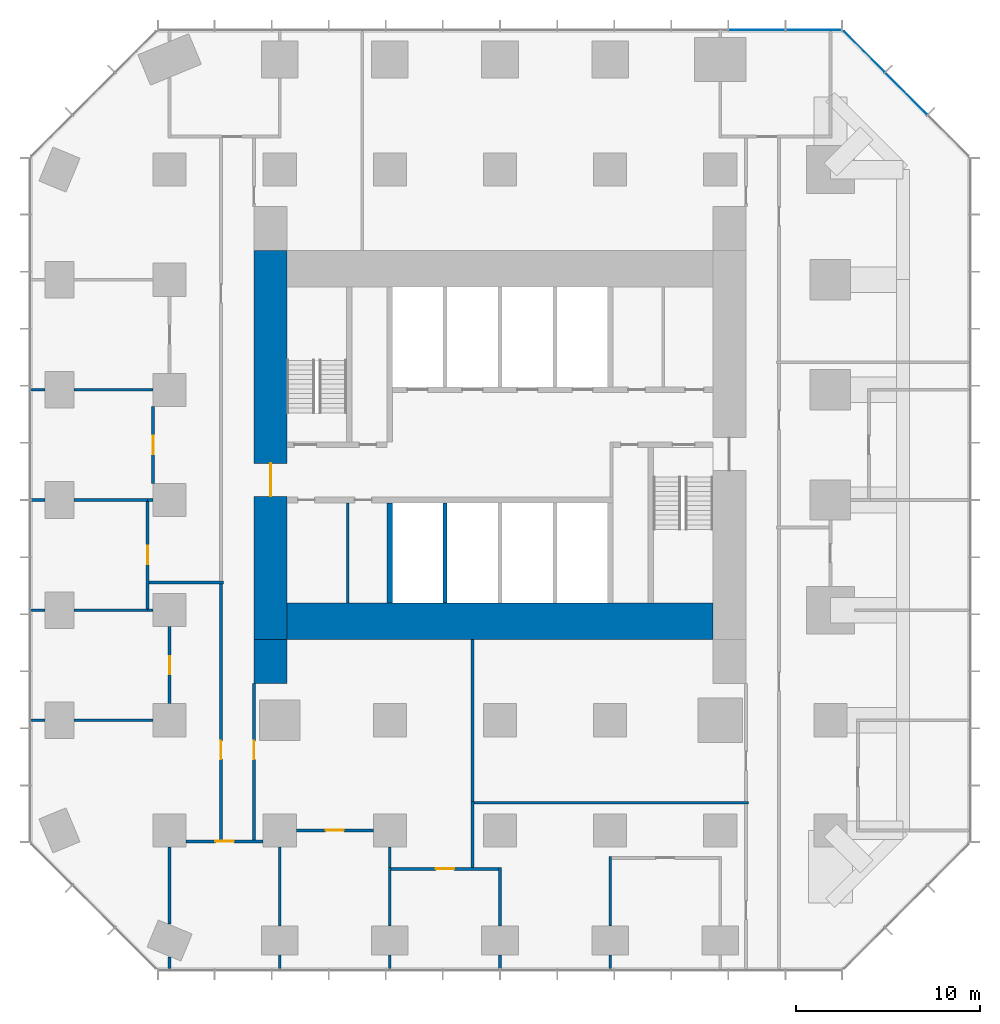
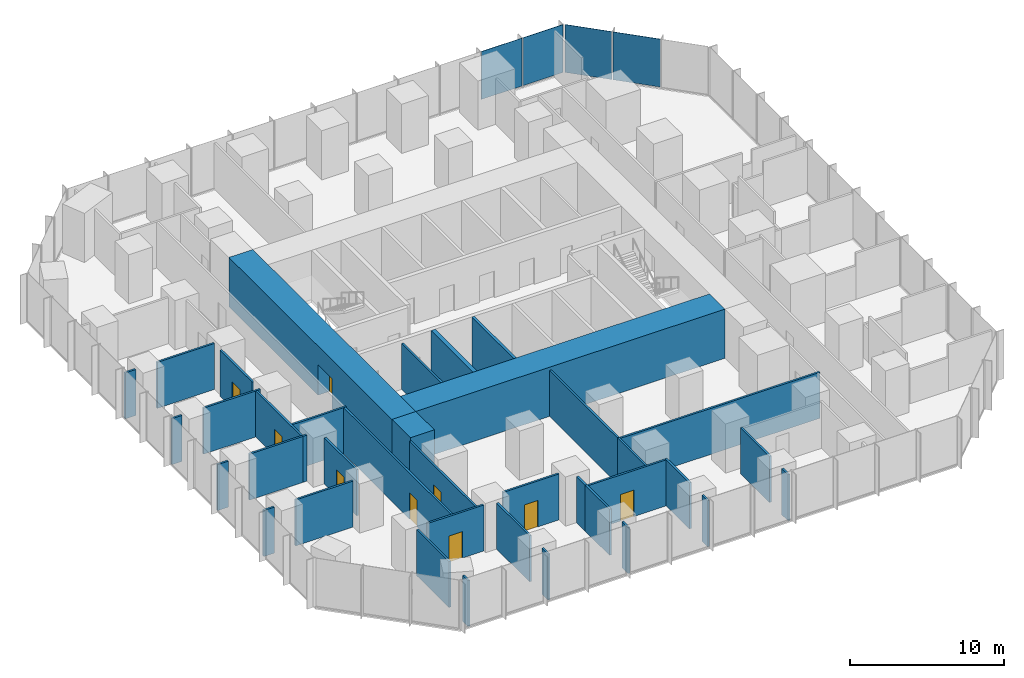
# One storey, part 8 of 12: 39 walls, 9 doors, 4 plates, 9 openings, 2 elements without a shape of their own.
"""IFC4 building model written with IfcOpenShell, lengths in metres."""

from ifc_helpers import new_model, si_unit, direction, frame, frame_2d, origin, origin_2d, place, context, subcontext, project, spatial, rectangle, extrude, material, layer, layer_set, type_object, element, fill, aggregate, save


model = new_model("IFC4")

# Units and contexts
model_context = context("Model", 3, precision=1e-05, world=origin(), true_north=direction((0.0, 1.0)))
body_context = subcontext(model_context, "Body", "Model", "MODEL_VIEW")
ifc_project = project(units=[si_unit("LENGTHUNIT", "METRE"), si_unit("AREAUNIT", "SQUARE_METRE"), si_unit("VOLUMEUNIT", "CUBIC_METRE"), si_unit("PLANEANGLEUNIT", "RADIAN"), si_unit("MASSUNIT", "GRAM", prefix="KILO")], contexts=[model_context])

# Site, building, storey
site_placement = place(None, origin())
site = spatial("IfcSite", under=ifc_project, at=site_placement, CompositionType="ELEMENT")
building_placement = place(site_placement, origin())
building = spatial("IfcBuilding", under=site, at=building_placement, Name="Highveld Stack Headquarters", CompositionType="ELEMENT")
storey_placement = place(building_placement, frame((0.0, 0.0, 57.199951171875)))
storey = spatial("IfcBuildingStorey", under=building, at=storey_placement, Name="L13", CompositionType="ELEMENT", Elevation=57.199951171875)

# Curtain wall, plates
ifc_material_1 = material(Name="Aluminium bronze anodised", Category="aluminium")
ifc_layer_1 = layer(ifc_material_1, 0.199951171875)
ifc_layer_set_1 = layer_set([ifc_layer_1], Name="Aluminium bronze anodised")
curtain_wall_type_1 = type_object("IfcCurtainWallType", Name="CW1 TOWER UNITISED CURTAIN WALL", PredefinedType="NOTDEFINED", material=ifc_layer_set_1)
curtain_wall_1_placement = place(storey_placement, origin())
curtain_wall_1 = element("IfcCurtainWall", 1, at=curtain_wall_1_placement, inside=storey, type_object=curtain_wall_type_1, Name="Curtain wall CW1 L13 N", PredefinedType="NOTDEFINED")
ifc_material_2 = material(Name="Glass bronze tinted double glazed unit", Category="glass")
ifc_layer_2 = layer(ifc_material_2, 0.028076171875)
ifc_layer_set_2 = layer_set([ifc_layer_2], Name="Glass bronze tinted double glazed unit")
plate_type_1 = type_object("IfcPlateType", Name="CW1 PANEL BRONZE TINTED DOUBLE GLAZED UNIT", PredefinedType="CURTAIN_PANEL", material=ifc_layer_set_2)
plate_1_placement = place(storey_placement, frame((23.09130859375, 25.60009765625, 0.10009765625), z_axis=(0.0, 0.0, 1.0), x_axis=(-1.0, 0.0, 0.0)))
plate_1 = element("IfcPlate", 2, at=plate_1_placement, type_object=plate_type_1, Name="CW1 panel L13 1.1", PredefinedType="CURTAIN_PANEL", context=body_context, shape_type="SweptSolid", body=[
    extrude(rectangle(XDim=3.012939453125, YDim=0.028076171875, at=origin_2d()), origin(), (0.0, 0.0, 1.0), 3.800048828125),
])
plate_2_placement = place(storey_placement, frame((19.9970703125, 25.60009765625, 0.10009765625), z_axis=(0.0, 0.0, 1.0), x_axis=(-1.0, 0.0, 0.0)))
plate_2 = element("IfcPlate", 3, at=plate_2_placement, type_object=plate_type_1, Name="CW1 panel L13 2.1", PredefinedType="CURTAIN_PANEL", context=body_context, shape_type="SweptSolid", body=[
    extrude(rectangle(XDim=3.04541015625, YDim=0.028076171875, at=origin_2d()), origin(), (0.0, 0.0, 1.0), 3.800048828125),
])
aggregate(curtain_wall_1, [plate_1, plate_2])

ifc_material_3 = material(Name="Aluminium bronze anodised", Category="aluminium")
ifc_layer_3 = layer(ifc_material_3, 0.199951171875)
ifc_layer_set_3 = layer_set([ifc_layer_3], Name="Aluminium bronze anodised")
curtain_wall_type_2 = type_object("IfcCurtainWallType", Name="CW2 TOWER CHAMFER UNITISED CURTAIN WALL", PredefinedType="NOTDEFINED", material=ifc_layer_set_3)
curtain_wall_2_placement = place(storey_placement, origin())
curtain_wall_2 = element("IfcCurtainWall", 4, at=curtain_wall_2_placement, inside=storey, type_object=curtain_wall_type_2, Name="Curtain wall CW2 L13 NE", PredefinedType="NOTDEFINED")
ifc_material_4 = material(Name="Glass bronze tinted double glazed unit", Category="glass")
ifc_layer_4 = layer(ifc_material_4, 0.028076171875)
ifc_layer_set_4 = layer_set([ifc_layer_4], Name="Glass bronze tinted double glazed unit")
plate_type_2 = type_object("IfcPlateType", Name="CW2 PANEL BRONZE TINTED DOUBLE GLAZED UNIT", PredefinedType="CURTAIN_PANEL", material=ifc_layer_set_4)
plate_3_placement = place(storey_placement, frame((28.13134765625, 22.13134765625, 0.10009765625), z_axis=(0.0, 0.0, 1.0), x_axis=(-0.707106781187, 0.707106781187, 0.0)))
plate_3 = element("IfcPlate", 5, at=plate_3_placement, type_object=plate_type_2, Name="CW2 panel L13 2.1", PredefinedType="CURTAIN_PANEL", context=body_context, shape_type="SweptSolid", body=[
    extrude(rectangle(XDim=3.205322265625, YDim=0.028076171875, at=origin_2d()), origin(), (0.0, 0.0, 1.0), 3.800048828125),
])
plate_4_placement = place(storey_placement, frame((25.8427734375, 24.419921875, 0.10009765625), z_axis=(0.0, 0.0, 1.0), x_axis=(-0.707106781187, 0.707106781187, 0.0)))
plate_4 = element("IfcPlate", 6, at=plate_4_placement, type_object=plate_type_2, Name="CW2 panel L13 3.1", PredefinedType="CURTAIN_PANEL", context=body_context, shape_type="SweptSolid", body=[
    extrude(rectangle(XDim=3.1376953125, YDim=0.028076171875, at=origin_2d()), origin(), (0.0, 0.0, 1.0), 3.800048828125),
])
aggregate(curtain_wall_2, [plate_3, plate_4])

# Wall, opening, door
ifc_material_5 = material(Name="Concrete C60/75", Category="concrete")
ifc_layer_5 = layer(ifc_material_5, 1.800048828125)
ifc_layer_set_5 = layer_set([ifc_layer_5], Name="Concrete C60/75")
wall_type_1 = type_object("IfcWallType", Name="CORE WALL 1800 C60/75", PredefinedType="SHEAR", material=ifc_layer_set_5)
wall_1_placement = place(storey_placement, frame((-6.5, -7.60009765625, 0.0), z_axis=(0.0, 0.0, 1.0), x_axis=(0.0, 1.0, 0.0)))
wall_1 = element("IfcWall", 7, at=wall_1_placement, inside=storey, type_object=wall_type_1, Name="Core wall W L13", PredefinedType="SHEAR", context=body_context, shape_type="SweptSolid", body=[
    extrude(rectangle(XDim=21.2001953125, YDim=1.800048828125, at=frame_2d((10.60009765625, 0.0))), origin(), (0.0, 0.0, 1.0), 3.900146484375),
])
opening_1_placement = place(wall_1_placement, frame((7.800048828125, 0.0, 0.0)))
opening_1 = element("IfcOpeningElement", 8, at=opening_1_placement, cuts=wall_1, Name="Opening L13-01", PredefinedType="OPENING", context=body_context, shape_type="SweptSolid", body=[
    extrude(rectangle(XDim=1.800048828125, YDim=2.39990234375, at=frame_2d((0.89990234375, 1.199951171875))), frame((0.0, 0.909912109375, 0.0), z_axis=(0.0, -1.0, 0.0), x_axis=(1.0, 0.0, 0.0)), (0.0, 0.0, 1.0), 1.820068359375),
])
ifc_material_6 = material(Name="Steel fire door", Category="steel")
door_type_1 = type_object("IfcDoorType", Name="LOBBY FIRE DOOR D4 1800x2400", OperationType="DOUBLE_DOOR_SINGLE_SWING", PredefinedType="DOOR", material=ifc_material_6)
door_1_placement = place(opening_1_placement, origin())
door_1 = element("IfcDoor", 9, at=door_1_placement, inside=storey, type_object=door_type_1, Name="Core west door L13", OperationType="DOUBLE_DOOR_SINGLE_SWING", OverallHeight=2.39990234375, OverallWidth=1.800048828125, PredefinedType="DOOR", context=body_context, shape_type="SweptSolid", body=[
    extrude(rectangle(XDim=1.800048828125, YDim=2.39990234375, at=frame_2d((0.89990234375, 1.199951171875))), frame((0.0, 0.02490234375, 0.0), z_axis=(0.0, -1.0, 0.0), x_axis=(1.0, 0.0, 0.0)), (0.0, 0.0, 1.0), 0.050048828125),
])
fill(opening_1, door_1)

# Walls
ifc_material_7 = material(Name="Concrete C60/75", Category="concrete")
ifc_layer_6 = layer(ifc_material_7, 2.0)
ifc_layer_set_6 = layer_set([ifc_layer_6], Name="Concrete C60/75")
wall_type_2 = type_object("IfcWallType", Name="CORE WALL 2000 C60/75", PredefinedType="SHEAR", material=ifc_layer_set_6)
wall_2_placement = place(storey_placement, frame((-5.60009765625, -6.60009765625, 0.0), z_axis=(0.0, 0.0, 1.0), x_axis=(1.0, 0.0, 0.0)))
element("IfcWall", 10, at=wall_2_placement, inside=storey, type_object=wall_type_2, Name="Core wall S L13", PredefinedType="SHEAR", context=body_context, shape_type="SweptSolid", body=[
    extrude(rectangle(XDim=23.2001953125, YDim=2.0, at=frame_2d((11.60009765625, 0.0))), origin(), (0.0, 0.0, 1.0), 3.900146484375),
])
ifc_material_8 = material(Name="Concrete C60/75", Category="concrete")
ifc_layer_7 = layer(ifc_material_8, 0.300048828125)
ifc_layer_set_7 = layer_set([ifc_layer_7], Name="Concrete C60/75")
wall_type_3 = type_object("IfcWallType", Name="CORE WALL 300 C60/75", PredefinedType="SHEAR", material=ifc_layer_set_7)
wall_3_placement = place(storey_placement, frame((0.0, -5.60009765625, 0.0), z_axis=(0.0, 0.0, 1.0), x_axis=(0.0, 1.0, 0.0)))
element("IfcWall", 11, at=wall_3_placement, inside=storey, type_object=wall_type_3, Name="Core wall I-X0S L13", PredefinedType="SHEAR", context=body_context, shape_type="SweptSolid", body=[
    extrude(rectangle(XDim=5.4501953125, YDim=0.300048828125, at=frame_2d((2.72509765625, 0.0))), origin(), (0.0, 0.0, 1.0), 3.900146484375),
])
ifc_material_9 = material(Name="Concrete C60/75", Category="concrete")
ifc_layer_8 = layer(ifc_material_9, 1.800048828125)
ifc_layer_set_8 = layer_set([ifc_layer_8], Name="Concrete C60/75")
wall_type_4 = type_object("IfcWallType", Name="CORE WING WALL 1800 C60/75", PredefinedType="SHEAR", material=ifc_layer_set_8)
wall_4_placement = place(storey_placement, frame((-6.5, -10.0, 0.0), z_axis=(0.0, 0.0, 1.0), x_axis=(0.0, 1.0, 0.0)))
element("IfcWall", 12, at=wall_4_placement, inside=storey, type_object=wall_type_4, Name="Core wing wall WS L13", PredefinedType="SHEAR", context=body_context, shape_type="SweptSolid", body=[
    extrude(rectangle(XDim=2.39990234375, YDim=1.800048828125, at=frame_2d((1.199951171875, 0.0))), origin(), (0.0, 0.0, 1.0), 3.900146484375),
])

# Wall, opening, door
ifc_material_10 = material(Name="Laminated glass in aluminium frame", Category="aluminium")
ifc_layer_9 = layer(ifc_material_10, 0.14990234375)
ifc_layer_set_9 = layer_set([ifc_layer_9], Name="Laminated glass in aluminium frame")
wall_type_5 = type_object("IfcWallType", Name="GLAZED PARTITION 150", PredefinedType="PARTITIONING", material=ifc_layer_set_9)
wall_5_placement = place(storey_placement, frame((-6.89990234375, -18.60009765625, 0.0), z_axis=(0.0, 0.0, 1.0), x_axis=(-1.0, 0.0, 0.0)))
wall_5 = element("IfcWall", 13, at=wall_5_placement, inside=storey, type_object=wall_type_5, Name="Glazed partition Video conference room L13", PredefinedType="PARTITIONING", context=body_context, shape_type="SweptSolid", body=[
    extrude(rectangle(XDim=4.2001953125, YDim=0.14990234375, at=frame_2d((2.10009765625, 0.0))), origin(), (0.0, 0.0, 1.0), 3.650146484375),
])
opening_2_placement = place(wall_5_placement, frame((1.60009765625, 0.0, 0.0)))
opening_2 = element("IfcOpeningElement", 14, at=opening_2_placement, cuts=wall_5, Name="Opening L13-11", PredefinedType="OPENING", context=body_context, shape_type="SweptSolid", body=[
    extrude(rectangle(XDim=1.0, YDim=2.10009765625, at=frame_2d((0.5, 1.050048828125))), frame((0.0, 0.0849609375, 0.0), z_axis=(0.0, -1.0, 0.0), x_axis=(1.0, 0.0, 0.0)), (0.0, 0.0, 1.0), 0.169921875),
])
ifc_material_11 = material(Name="Timber door, oiled ash", Category="wood")
door_type_2 = type_object("IfcDoorType", Name="ROOM DOOR D6 1000x2100", OperationType="SINGLE_SWING_LEFT", PredefinedType="DOOR", material=ifc_material_11)
door_2_placement = place(opening_2_placement, origin())
door_2 = element("IfcDoor", 15, at=door_2_placement, inside=storey, type_object=door_type_2, Name="Video conference room door 1 L13", OperationType="SINGLE_SWING_LEFT", OverallHeight=2.10009765625, OverallWidth=1.0, PredefinedType="DOOR", context=body_context, shape_type="SweptSolid", body=[
    extrude(rectangle(XDim=1.0, YDim=2.10009765625, at=frame_2d((0.5, 1.050048828125))), frame((0.0, 0.02490234375, 0.0), z_axis=(0.0, -1.0, 0.0), x_axis=(1.0, 0.0, 0.0)), (0.0, 0.0, 1.0), 0.050048828125),
])
fill(opening_2, door_2)

wall_6_placement = place(storey_placement, frame((-5.10009765625, -18.0, 0.0), z_axis=(0.0, 0.0, 1.0), x_axis=(1.0, 0.0, 0.0)))
wall_6 = element("IfcWall", 16, at=wall_6_placement, inside=storey, type_object=wall_type_5, Name="Glazed partition Meeting room L13", PredefinedType="PARTITIONING", context=body_context, shape_type="SweptSolid", body=[
    extrude(rectangle(XDim=4.2001953125, YDim=0.14990234375, at=frame_2d((2.10009765625, 0.0))), origin(), (0.0, 0.0, 1.0), 3.650146484375),
])
opening_3_placement = place(wall_6_placement, frame((1.60009765625, 0.0, 0.0)))
opening_3 = element("IfcOpeningElement", 17, at=opening_3_placement, cuts=wall_6, Name="Opening L13-12", PredefinedType="OPENING", context=body_context, shape_type="SweptSolid", body=[
    extrude(rectangle(XDim=1.0, YDim=2.10009765625, at=frame_2d((0.5, 1.050048828125))), frame((0.0, 0.0849609375, 0.0), z_axis=(0.0, -1.0, 0.0), x_axis=(1.0, 0.0, 0.0)), (0.0, 0.0, 1.0), 0.169921875),
])
door_3_placement = place(opening_3_placement, origin())
door_3 = element("IfcDoor", 18, at=door_3_placement, inside=storey, type_object=door_type_2, Name="Meeting room door 1 L13", OperationType="SINGLE_SWING_RIGHT", OverallHeight=2.10009765625, OverallWidth=1.0, PredefinedType="DOOR", context=body_context, shape_type="SweptSolid", body=[
    extrude(rectangle(XDim=1.0, YDim=2.10009765625, at=frame_2d((0.5, 1.050048828125))), frame((0.0, 0.02490234375, 0.0), z_axis=(0.0, -1.0, 0.0), x_axis=(1.0, 0.0, 0.0)), (0.0, 0.0, 1.0), 0.050048828125),
])
fill(opening_3, door_3)

# Wall
ifc_material_12 = material(Name="Concrete blockwork, fair-faced", Category="masonry")
ifc_layer_10 = layer(ifc_material_12, 0.199951171875)
ifc_layer_set_10 = layer_set([ifc_layer_10], Name="Concrete blockwork, fair-faced")
wall_type_6 = type_object("IfcWallType", Name="LIFT SHAFT ENCLOSURE WALL 200 BLOCKWORK", PredefinedType="SOLIDWALL", material=ifc_layer_set_10)
wall_7_placement = place(storey_placement, frame((3.0, -5.60009765625, 0.0), z_axis=(0.0, 0.0, 1.0), x_axis=(0.0, 1.0, 0.0)))
element("IfcWall", 19, at=wall_7_placement, inside=storey, type_object=wall_type_6, Name="Lift shaft wall L13", PredefinedType="SOLIDWALL", context=body_context, shape_type="SweptSolid", body=[
    extrude(rectangle(XDim=5.4501953125, YDim=0.199951171875, at=frame_2d((2.72509765625, 0.0))), origin(), (0.0, 0.0, 1.0), 3.900146484375),
])

# Wall, opening, door
ifc_material_13 = material(Name="Gypsum plasterboard on steel studs", Category="steel")
ifc_layer_11 = layer(ifc_material_13, 0.14990234375)
ifc_layer_set_11 = layer_set([ifc_layer_11], Name="Gypsum plasterboard on steel studs")
wall_type_7 = type_object("IfcWallType", Name="PARTITION 150 PLASTERBOARD", PredefinedType="PARTITIONING", material=ifc_layer_set_11)
wall_8_placement = place(storey_placement, frame((0.074951171875, -20.10009765625, 0.0), z_axis=(0.0, 0.0, 1.0), x_axis=(1.0, 0.0, 0.0)))
wall_8 = element("IfcWall", 20, at=wall_8_placement, inside=storey, type_object=wall_type_7, Name="Partition Focus room L13", PredefinedType="PARTITIONING", context=body_context, shape_type="SweptSolid", body=[
    extrude(rectangle(XDim=5.85009765625, YDim=0.14990234375, at=frame_2d((2.925048828125, 0.0))), origin(), (0.0, 0.0, 1.0), 3.650146484375),
])
opening_4_placement = place(wall_8_placement, frame((2.425048828125, 0.0, 0.0)))
opening_4 = element("IfcOpeningElement", 21, at=opening_4_placement, cuts=wall_8, Name="Opening L13-13", PredefinedType="OPENING", context=body_context, shape_type="SweptSolid", body=[
    extrude(rectangle(XDim=1.0, YDim=2.10009765625, at=frame_2d((0.5, 1.050048828125))), frame((0.0, 0.0849609375, 0.0), z_axis=(0.0, -1.0, 0.0), x_axis=(1.0, 0.0, 0.0)), (0.0, 0.0, 1.0), 0.169921875),
])
door_4_placement = place(opening_4_placement, origin())
door_4 = element("IfcDoor", 22, at=door_4_placement, inside=storey, type_object=door_type_2, Name="Focus room door 1 L13", OperationType="SINGLE_SWING_LEFT", OverallHeight=2.10009765625, OverallWidth=1.0, PredefinedType="DOOR", context=body_context, shape_type="SweptSolid", body=[
    extrude(rectangle(XDim=1.0, YDim=2.10009765625, at=frame_2d((0.5, 1.050048828125))), frame((0.0, 0.02490234375, 0.0), z_axis=(0.0, -1.0, 0.0), x_axis=(1.0, 0.0, 0.0)), (0.0, 0.0, 1.0), 0.050048828125),
])
fill(opening_4, door_4)

# Walls
wall_9_placement = place(storey_placement, frame((-19.60009765625, -12.0, 0.0), z_axis=(0.0, 0.0, 1.0), x_axis=(1.0, 0.0, 0.0)))
element("IfcWall", 23, at=wall_9_placement, inside=storey, type_object=wall_type_7, Name="Partition Office L13", PredefinedType="PARTITIONING", context=body_context, shape_type="SweptSolid", body=[
    extrude(rectangle(XDim=0.800048828125, YDim=0.14990234375, at=frame_2d((0.39990234375, 0.0))), origin(), (0.0, 0.0, 1.0), 3.650146484375),
])
wall_10_placement = place(storey_placement, frame((-17.199951171875, -12.0, 0.0), z_axis=(0.0, 0.0, 1.0), x_axis=(1.0, 0.0, 0.0)))
element("IfcWall", 24, at=wall_10_placement, inside=storey, type_object=wall_type_7, Name="Partition Office L13", PredefinedType="PARTITIONING", context=body_context, shape_type="SweptSolid", body=[
    extrude(rectangle(XDim=4.300048828125, YDim=0.14990234375, at=frame_2d((2.14990234375, 0.0))), origin(), (0.0, 0.0, 1.0), 3.650146484375),
])
wall_11_placement = place(storey_placement, frame((-19.60009765625, -6.0, 0.0), z_axis=(0.0, 0.0, 1.0), x_axis=(1.0, 0.0, 0.0)))
element("IfcWall", 25, at=wall_11_placement, inside=storey, type_object=wall_type_7, Name="Partition Office / Tea kitchen L13", PredefinedType="PARTITIONING", context=body_context, shape_type="SweptSolid", body=[
    extrude(rectangle(XDim=0.800048828125, YDim=0.14990234375, at=frame_2d((0.39990234375, 0.0))), origin(), (0.0, 0.0, 1.0), 3.650146484375),
])
wall_12_placement = place(storey_placement, frame((-17.199951171875, -6.0, 0.0), z_axis=(0.0, 0.0, 1.0), x_axis=(1.0, 0.0, 0.0)))
element("IfcWall", 26, at=wall_12_placement, inside=storey, type_object=wall_type_7, Name="Partition Office / Tea kitchen L13", PredefinedType="PARTITIONING", context=body_context, shape_type="SweptSolid", body=[
    extrude(rectangle(XDim=4.074951171875, YDim=0.14990234375, at=frame_2d((2.03759765625, 0.0))), origin(), (0.0, 0.0, 1.0), 3.650146484375),
])
wall_13_placement = place(storey_placement, frame((-13.199951171875, -6.0, 0.0), z_axis=(0.0, 0.0, 1.0), x_axis=(1.0, 0.0, 0.0)))
element("IfcWall", 27, at=wall_13_placement, inside=storey, type_object=wall_type_7, Name="Partition Office L13", PredefinedType="PARTITIONING", context=body_context, shape_type="SweptSolid", body=[
    extrude(rectangle(XDim=0.300048828125, YDim=0.14990234375, at=frame_2d((0.14990234375, 0.0))), origin(), (0.0, 0.0, 1.0), 3.650146484375),
])
wall_14_placement = place(storey_placement, frame((-19.550048828125, 0.0, 0.0), z_axis=(0.0, 0.0, 1.0), x_axis=(1.0, 0.0, 0.0)))
element("IfcWall", 28, at=wall_14_placement, inside=storey, type_object=wall_type_7, Name="Partition Interview room / Tea kitchen L13", PredefinedType="PARTITIONING", context=body_context, shape_type="SweptSolid", body=[
    extrude(rectangle(XDim=0.75, YDim=0.14990234375, at=frame_2d((0.375, 0.0))), origin(), (0.0, 0.0, 1.0), 3.650146484375),
])
wall_15_placement = place(storey_placement, frame((-17.199951171875, 0.0, 0.0), z_axis=(0.0, 0.0, 1.0), x_axis=(1.0, 0.0, 0.0)))
element("IfcWall", 29, at=wall_15_placement, inside=storey, type_object=wall_type_7, Name="Partition Interview room / Tea kitchen L13", PredefinedType="PARTITIONING", context=body_context, shape_type="SweptSolid", body=[
    extrude(rectangle(XDim=4.074951171875, YDim=0.14990234375, at=frame_2d((2.03759765625, 0.0))), origin(), (0.0, 0.0, 1.0), 3.650146484375),
])
wall_16_placement = place(storey_placement, frame((-13.199951171875, 0.0, 0.0), z_axis=(0.0, 0.0, 1.0), x_axis=(1.0, 0.0, 0.0)))
element("IfcWall", 30, at=wall_16_placement, inside=storey, type_object=wall_type_7, Name="Partition Interview room L13", PredefinedType="PARTITIONING", context=body_context, shape_type="SweptSolid", body=[
    extrude(rectangle(XDim=0.300048828125, YDim=0.14990234375, at=frame_2d((0.14990234375, 0.0))), origin(), (0.0, 0.0, 1.0), 3.650146484375),
])
wall_17_placement = place(storey_placement, frame((-19.60009765625, 6.0, 0.0), z_axis=(0.0, 0.0, 1.0), x_axis=(1.0, 0.0, 0.0)))
element("IfcWall", 31, at=wall_17_placement, inside=storey, type_object=wall_type_7, Name="Partition Interview room / Office L13", PredefinedType="PARTITIONING", context=body_context, shape_type="SweptSolid", body=[
    extrude(rectangle(XDim=0.800048828125, YDim=0.14990234375, at=frame_2d((0.39990234375, 0.0))), origin(), (0.0, 0.0, 1.0), 3.650146484375),
])
wall_18_placement = place(storey_placement, frame((-17.199951171875, 6.0, 0.0), z_axis=(0.0, 0.0, 1.0), x_axis=(1.0, 0.0, 0.0)))
element("IfcWall", 32, at=wall_18_placement, inside=storey, type_object=wall_type_7, Name="Partition Interview room / Office L13", PredefinedType="PARTITIONING", context=body_context, shape_type="SweptSolid", body=[
    extrude(rectangle(XDim=4.300048828125, YDim=0.14990234375, at=frame_2d((2.14990234375, 0.0))), origin(), (0.0, 0.0, 1.0), 3.650146484375),
])

# Wall, opening, door
wall_19_placement = place(storey_placement, frame((-13.199951171875, -5.925048828125, 0.0), z_axis=(0.0, 0.0, 1.0), x_axis=(0.0, 1.0, 0.0)))
wall_19 = element("IfcWall", 33, at=wall_19_placement, inside=storey, type_object=wall_type_7, Name="Partition Tea kitchen L13", PredefinedType="PARTITIONING", context=body_context, shape_type="SweptSolid", body=[
    extrude(rectangle(XDim=5.85009765625, YDim=0.14990234375, at=frame_2d((2.925048828125, 0.0))), origin(), (0.0, 0.0, 1.0), 3.650146484375),
])
opening_5_placement = place(wall_19_placement, frame((2.425048828125, 0.0, 0.0)))
opening_5 = element("IfcOpeningElement", 34, at=opening_5_placement, cuts=wall_19, Name="Opening L13-16", PredefinedType="OPENING", context=body_context, shape_type="SweptSolid", body=[
    extrude(rectangle(XDim=1.0, YDim=2.10009765625, at=frame_2d((0.5, 1.050048828125))), frame((0.0, 0.0849609375, 0.0), z_axis=(0.0, -1.0, 0.0), x_axis=(1.0, 0.0, 0.0)), (0.0, 0.0, 1.0), 0.169921875),
])
door_5_placement = place(opening_5_placement, origin())
door_5 = element("IfcDoor", 35, at=door_5_placement, inside=storey, type_object=door_type_2, Name="Tea kitchen door 1 L13", OperationType="SINGLE_SWING_RIGHT", OverallHeight=2.10009765625, OverallWidth=1.0, PredefinedType="DOOR", context=body_context, shape_type="SweptSolid", body=[
    extrude(rectangle(XDim=1.0, YDim=2.10009765625, at=frame_2d((0.5, 1.050048828125))), frame((0.0, 0.02490234375, 0.0), z_axis=(0.0, -1.0, 0.0), x_axis=(1.0, 0.0, 0.0)), (0.0, 0.0, 1.0), 0.050048828125),
])
fill(opening_5, door_5)

wall_20_placement = place(storey_placement, frame((-12.89990234375, 0.89990234375, 0.0), z_axis=(0.0, 0.0, 1.0), x_axis=(0.0, 1.0, 0.0)))
wall_20 = element("IfcWall", 36, at=wall_20_placement, inside=storey, type_object=wall_type_7, Name="Partition Interview room L13", PredefinedType="PARTITIONING", context=body_context, shape_type="SweptSolid", body=[
    extrude(rectangle(XDim=4.2001953125, YDim=0.14990234375, at=frame_2d((2.10009765625, 0.0))), origin(), (0.0, 0.0, 1.0), 3.650146484375),
])
opening_6_placement = place(wall_20_placement, frame((1.60009765625, 0.0, 0.0)))
opening_6 = element("IfcOpeningElement", 37, at=opening_6_placement, cuts=wall_20, Name="Opening L13-17", PredefinedType="OPENING", context=body_context, shape_type="SweptSolid", body=[
    extrude(rectangle(XDim=1.0, YDim=2.10009765625, at=frame_2d((0.5, 1.050048828125))), frame((0.0, 0.0849609375, 0.0), z_axis=(0.0, -1.0, 0.0), x_axis=(1.0, 0.0, 0.0)), (0.0, 0.0, 1.0), 0.169921875),
])
door_6_placement = place(opening_6_placement, origin())
door_6 = element("IfcDoor", 38, at=door_6_placement, inside=storey, type_object=door_type_2, Name="Interview room door 1 L13", OperationType="SINGLE_SWING_RIGHT", OverallHeight=2.10009765625, OverallWidth=1.0, PredefinedType="DOOR", context=body_context, shape_type="SweptSolid", body=[
    extrude(rectangle(XDim=1.0, YDim=2.10009765625, at=frame_2d((0.5, 1.050048828125))), frame((0.0, 0.02490234375, 0.0), z_axis=(0.0, -1.0, 0.0), x_axis=(1.0, 0.0, 0.0)), (0.0, 0.0, 1.0), 0.050048828125),
])
fill(opening_6, door_6)

# Walls
wall_21_placement = place(storey_placement, frame((-12.0, -25.60009765625, 0.0), z_axis=(0.0, 0.0, 1.0), x_axis=(0.0, 1.0, 0.0)))
element("IfcWall", 39, at=wall_21_placement, inside=storey, type_object=wall_type_7, Name="Partition Video conference room L13", PredefinedType="PARTITIONING", context=body_context, shape_type="SweptSolid", body=[
    extrude(rectangle(XDim=0.703125, YDim=0.14990234375, at=frame_2d((0.3515625, 0.0))), origin(), (0.0, 0.0, 1.0), 3.650146484375),
])
wall_22_placement = place(storey_placement, frame((-12.0, -23.10302734375, 0.0), z_axis=(0.0, 0.0, 1.0), x_axis=(0.0, 1.0, 0.0)))
element("IfcWall", 40, at=wall_22_placement, inside=storey, type_object=wall_type_7, Name="Partition Video conference room L13", PredefinedType="PARTITIONING", context=body_context, shape_type="SweptSolid", body=[
    extrude(rectangle(XDim=4.203125, YDim=0.14990234375, at=frame_2d((2.1015625, 0.0))), origin(), (0.0, 0.0, 1.0), 3.650146484375),
])

# Wall, opening, door
wall_23_placement = place(storey_placement, frame((-12.0, -11.10009765625, 0.0), z_axis=(0.0, 0.0, 1.0), x_axis=(0.0, 1.0, 0.0)))
wall_23 = element("IfcWall", 41, at=wall_23_placement, inside=storey, type_object=wall_type_7, Name="Partition Office L13", PredefinedType="PARTITIONING", context=body_context, shape_type="SweptSolid", body=[
    extrude(rectangle(XDim=4.2001953125, YDim=0.14990234375, at=frame_2d((2.10009765625, 0.0))), origin(), (0.0, 0.0, 1.0), 3.650146484375),
])
opening_7_placement = place(wall_23_placement, frame((1.60009765625, 0.0, 0.0)))
opening_7 = element("IfcOpeningElement", 42, at=opening_7_placement, cuts=wall_23, Name="Opening L13-15", PredefinedType="OPENING", context=body_context, shape_type="SweptSolid", body=[
    extrude(rectangle(XDim=1.0, YDim=2.10009765625, at=frame_2d((0.5, 1.050048828125))), frame((0.0, 0.0849609375, 0.0), z_axis=(0.0, -1.0, 0.0), x_axis=(1.0, 0.0, 0.0)), (0.0, 0.0, 1.0), 0.169921875),
])
door_7_placement = place(opening_7_placement, origin())
door_7 = element("IfcDoor", 43, at=door_7_placement, inside=storey, type_object=door_type_2, Name="Office door 1 L13", OperationType="SINGLE_SWING_LEFT", OverallHeight=2.10009765625, OverallWidth=1.0, PredefinedType="DOOR", context=body_context, shape_type="SweptSolid", body=[
    extrude(rectangle(XDim=1.0, YDim=2.10009765625, at=frame_2d((0.5, 1.050048828125))), frame((0.0, 0.02490234375, 0.0), z_axis=(0.0, -1.0, 0.0), x_axis=(1.0, 0.0, 0.0)), (0.0, 0.0, 1.0), 0.050048828125),
])
fill(opening_7, door_7)

# Walls
wall_24_placement = place(storey_placement, frame((-6.0, -25.60009765625, 0.0), z_axis=(0.0, 0.0, 1.0), x_axis=(0.0, 1.0, 0.0)))
element("IfcWall", 44, at=wall_24_placement, inside=storey, type_object=wall_type_7, Name="Partition Meeting room / Video conference room L13", PredefinedType="PARTITIONING", context=body_context, shape_type="SweptSolid", body=[
    extrude(rectangle(XDim=0.800048828125, YDim=0.14990234375, at=frame_2d((0.39990234375, 0.0))), origin(), (0.0, 0.0, 1.0), 3.650146484375),
])
wall_25_placement = place(storey_placement, frame((-6.0, -23.199951171875, 0.0), z_axis=(0.0, 0.0, 1.0), x_axis=(0.0, 1.0, 0.0)))
element("IfcWall", 45, at=wall_25_placement, inside=storey, type_object=wall_type_7, Name="Partition Meeting room / Video conference room L13", PredefinedType="PARTITIONING", context=body_context, shape_type="SweptSolid", body=[
    extrude(rectangle(XDim=4.300048828125, YDim=0.14990234375, at=frame_2d((2.14990234375, 0.0))), origin(), (0.0, 0.0, 1.0), 3.650146484375),
])
wall_26_placement = place(storey_placement, frame((0.0, -25.60009765625, 0.0), z_axis=(0.0, 0.0, 1.0), x_axis=(0.0, 1.0, 0.0)))
element("IfcWall", 46, at=wall_26_placement, inside=storey, type_object=wall_type_7, Name="Partition Focus room / Meeting room L13", PredefinedType="PARTITIONING", context=body_context, shape_type="SweptSolid", body=[
    extrude(rectangle(XDim=0.800048828125, YDim=0.14990234375, at=frame_2d((0.39990234375, 0.0))), origin(), (0.0, 0.0, 1.0), 3.650146484375),
])
wall_27_placement = place(storey_placement, frame((0.0, -23.199951171875, 0.0), z_axis=(0.0, 0.0, 1.0), x_axis=(0.0, 1.0, 0.0)))
element("IfcWall", 47, at=wall_27_placement, inside=storey, type_object=wall_type_7, Name="Partition Focus room / Meeting room L13", PredefinedType="PARTITIONING", context=body_context, shape_type="SweptSolid", body=[
    extrude(rectangle(XDim=3.175048828125, YDim=0.14990234375, at=frame_2d((1.58740234375, 0.0))), origin(), (0.0, 0.0, 1.0), 3.650146484375),
])
wall_28_placement = place(storey_placement, frame((0.0, -20.02490234375, 0.0), z_axis=(0.0, 0.0, 1.0), x_axis=(0.0, 1.0, 0.0)))
element("IfcWall", 48, at=wall_28_placement, inside=storey, type_object=wall_type_7, Name="Partition Meeting room L13", PredefinedType="PARTITIONING", context=body_context, shape_type="SweptSolid", body=[
    extrude(rectangle(XDim=1.125, YDim=0.14990234375, at=frame_2d((0.5625, 0.0))), origin(), (0.0, 0.0, 1.0), 3.650146484375),
])
wall_29_placement = place(storey_placement, frame((6.0, -25.550048828125, 0.0), z_axis=(0.0, 0.0, 1.0), x_axis=(0.0, 1.0, 0.0)))
element("IfcWall", 49, at=wall_29_placement, inside=storey, type_object=wall_type_7, Name="Partition Focus room L13", PredefinedType="PARTITIONING", context=body_context, shape_type="SweptSolid", body=[
    extrude(rectangle(XDim=0.75, YDim=0.14990234375, at=frame_2d((0.375, 0.0))), origin(), (0.0, 0.0, 1.0), 3.650146484375),
])
wall_30_placement = place(storey_placement, frame((6.0, -23.199951171875, 0.0), z_axis=(0.0, 0.0, 1.0), x_axis=(0.0, 1.0, 0.0)))
element("IfcWall", 50, at=wall_30_placement, inside=storey, type_object=wall_type_7, Name="Partition Focus room L13", PredefinedType="PARTITIONING", context=body_context, shape_type="SweptSolid", body=[
    extrude(rectangle(XDim=3.175048828125, YDim=0.14990234375, at=frame_2d((1.58740234375, 0.0))), origin(), (0.0, 0.0, 1.0), 3.650146484375),
])
wall_31_placement = place(storey_placement, frame((12.0, -25.60009765625, 0.0), z_axis=(0.0, 0.0, 1.0), x_axis=(0.0, 1.0, 0.0)))
element("IfcWall", 51, at=wall_31_placement, inside=storey, type_object=wall_type_7, Name="Partition Quiet room L13", PredefinedType="PARTITIONING", context=body_context, shape_type="SweptSolid", body=[
    extrude(rectangle(XDim=0.800048828125, YDim=0.14990234375, at=frame_2d((0.39990234375, 0.0))), origin(), (0.0, 0.0, 1.0), 3.650146484375),
])
wall_32_placement = place(storey_placement, frame((12.0, -23.199951171875, 0.0), z_axis=(0.0, 0.0, 1.0), x_axis=(0.0, 1.0, 0.0)))
element("IfcWall", 52, at=wall_32_placement, inside=storey, type_object=wall_type_7, Name="Partition Quiet room L13", PredefinedType="PARTITIONING", context=body_context, shape_type="SweptSolid", body=[
    extrude(rectangle(XDim=3.77490234375, YDim=0.14990234375, at=frame_2d((1.887451171875, 0.0))), origin(), (0.0, 0.0, 1.0), 3.650146484375),
])
wall_33_placement = place(storey_placement, frame((-13.125, -4.5, 0.0), z_axis=(0.0, 0.0, 1.0), x_axis=(1.0, 0.0, 0.0)))
element("IfcWall", 53, at=wall_33_placement, inside=storey, type_object=wall_type_7, Name="Partition office neighbourhood L13", PredefinedType="PARTITIONING", context=body_context, shape_type="SweptSolid", body=[
    extrude(rectangle(XDim=4.074951171875, YDim=0.14990234375, at=frame_2d((2.03759765625, 0.0))), origin(), (0.0, 0.0, 1.0), 3.650146484375),
])

# Wall, opening, door
wall_34_placement = place(storey_placement, frame((-9.199951171875, -18.52490234375, 0.0), z_axis=(0.0, 0.0, 1.0), x_axis=(0.0, 1.0, 0.0)))
wall_34 = element("IfcWall", 54, at=wall_34_placement, inside=storey, type_object=wall_type_7, Name="Partition office neighbourhood L13", PredefinedType="PARTITIONING", context=body_context, shape_type="SweptSolid", body=[
    extrude(rectangle(XDim=13.949951171875, YDim=0.14990234375, at=frame_2d((6.97509765625, 0.0))), origin(), (0.0, 0.0, 1.0), 3.650146484375),
])
opening_8_placement = place(wall_34_placement, frame((4.408935546875, 0.0, 0.0)))
opening_8 = element("IfcOpeningElement", 55, at=opening_8_placement, cuts=wall_34, Name="Opening L13-25", PredefinedType="OPENING", context=body_context, shape_type="SweptSolid", body=[
    extrude(rectangle(XDim=1.0, YDim=2.10009765625, at=frame_2d((0.5, 1.050048828125))), frame((0.0, 0.0849609375, 0.0), z_axis=(0.0, -1.0, 0.0), x_axis=(1.0, 0.0, 0.0)), (0.0, 0.0, 1.0), 0.169921875),
])
door_8_placement = place(opening_8_placement, origin())
door_8 = element("IfcDoor", 56, at=door_8_placement, inside=storey, type_object=door_type_2, Name="Office neighbourhood door L13", OperationType="SINGLE_SWING_LEFT", OverallHeight=2.10009765625, OverallWidth=1.0, PredefinedType="DOOR", context=body_context, shape_type="SweptSolid", body=[
    extrude(rectangle(XDim=1.0, YDim=2.10009765625, at=frame_2d((0.5, 1.050048828125))), frame((0.0, 0.02490234375, 0.0), z_axis=(0.0, -1.0, 0.0), x_axis=(1.0, 0.0, 0.0)), (0.0, 0.0, 1.0), 0.050048828125),
])
fill(opening_8, door_8)

wall_35_placement = place(storey_placement, frame((-7.39990234375, -18.52490234375, 0.0), z_axis=(0.0, 0.0, 1.0), x_axis=(0.0, 1.0, 0.0)))
wall_35 = element("IfcWall", 57, at=wall_35_placement, inside=storey, type_object=wall_type_7, Name="Partition office neighbourhood L13", PredefinedType="PARTITIONING", context=body_context, shape_type="SweptSolid", body=[
    extrude(rectangle(XDim=8.52490234375, YDim=0.14990234375, at=frame_2d((4.262451171875, 0.0))), origin(), (0.0, 0.0, 1.0), 3.650146484375),
])
opening_9_placement = place(wall_35_placement, frame((4.39990234375, 0.0, 0.0)))
opening_9 = element("IfcOpeningElement", 58, at=opening_9_placement, cuts=wall_35, Name="Opening L13-31", PredefinedType="OPENING", context=body_context, shape_type="SweptSolid", body=[
    extrude(rectangle(XDim=1.0, YDim=2.10009765625, at=frame_2d((0.5, 1.050048828125))), frame((0.0, 0.0849609375, 0.0), z_axis=(0.0, -1.0, 0.0), x_axis=(1.0, 0.0, 0.0)), (0.0, 0.0, 1.0), 0.169921875),
])
door_9_placement = place(opening_9_placement, origin())
door_9 = element("IfcDoor", 59, at=door_9_placement, inside=storey, type_object=door_type_2, Name="Office neighbourhood door L13", OperationType="SINGLE_SWING_RIGHT", OverallHeight=2.10009765625, OverallWidth=1.0, PredefinedType="DOOR", context=body_context, shape_type="SweptSolid", body=[
    extrude(rectangle(XDim=1.0, YDim=2.10009765625, at=frame_2d((0.5, 1.050048828125))), frame((0.0, 0.02490234375, 0.0), z_axis=(0.0, -1.0, 0.0), x_axis=(1.0, 0.0, 0.0)), (0.0, 0.0, 1.0), 0.050048828125),
])
fill(opening_9, door_9)

# Walls
wall_36_placement = place(storey_placement, frame((4.5, -20.02490234375, 0.0), z_axis=(0.0, 0.0, 1.0), x_axis=(0.0, 1.0, 0.0)))
element("IfcWall", 60, at=wall_36_placement, inside=storey, type_object=wall_type_7, Name="Partition office neighbourhood L13", PredefinedType="PARTITIONING", context=body_context, shape_type="SweptSolid", body=[
    extrude(rectangle(XDim=3.599853515625, YDim=0.14990234375, at=frame_2d((1.7998046875, 0.0))), origin(), (0.0, 0.0, 1.0), 3.650146484375),
])
wall_37_placement = place(storey_placement, frame((4.5, -16.5, 0.0), z_axis=(0.0, 0.0, 1.0), x_axis=(0.0, 1.0, 0.0)))
element("IfcWall", 61, at=wall_37_placement, inside=storey, type_object=wall_type_7, Name="Partition office neighbourhood L13", PredefinedType="PARTITIONING", context=body_context, shape_type="SweptSolid", body=[
    extrude(rectangle(XDim=8.89990234375, YDim=0.14990234375, at=frame_2d((4.449951171875, 0.0))), origin(), (0.0, 0.0, 1.0), 3.650146484375),
])
wall_38_placement = place(storey_placement, frame((4.574951171875, -16.5, 0.0), z_axis=(0.0, 0.0, 1.0), x_axis=(1.0, 0.0, 0.0)))
element("IfcWall", 62, at=wall_38_placement, inside=storey, type_object=wall_type_7, Name="Partition office neighbourhood L13", PredefinedType="PARTITIONING", context=body_context, shape_type="SweptSolid", body=[
    extrude(rectangle(XDim=14.97509765625, YDim=0.14990234375, at=frame_2d((7.487548828125, 0.0))), origin(), (0.0, 0.0, 1.0), 3.650146484375),
])
ifc_material_14 = material(Name="Concrete blockwork, tiled", Category="masonry")
ifc_layer_12 = layer(ifc_material_14, 0.14990234375)
ifc_layer_set_12 = layer_set([ifc_layer_12], Name="Concrete blockwork, tiled")
wall_type_8 = type_object("IfcWallType", Name="WC PARTITION 150", PredefinedType="PLUMBINGWALL", material=ifc_layer_set_12)
wall_39_placement = place(storey_placement, frame((-2.300048828125, -5.60009765625, 0.0), z_axis=(0.0, 0.0, 1.0), x_axis=(0.0, 1.0, 0.0)))
element("IfcWall", 63, at=wall_39_placement, inside=storey, type_object=wall_type_8, Name="Toilet partition L13", PredefinedType="PLUMBINGWALL", context=body_context, shape_type="SweptSolid", body=[
    extrude(rectangle(XDim=5.4501953125, YDim=0.14990234375, at=frame_2d((2.72509765625, 0.0))), origin(), (0.0, 0.0, 1.0), 3.650146484375),
])

save(model, "model.ifc")
